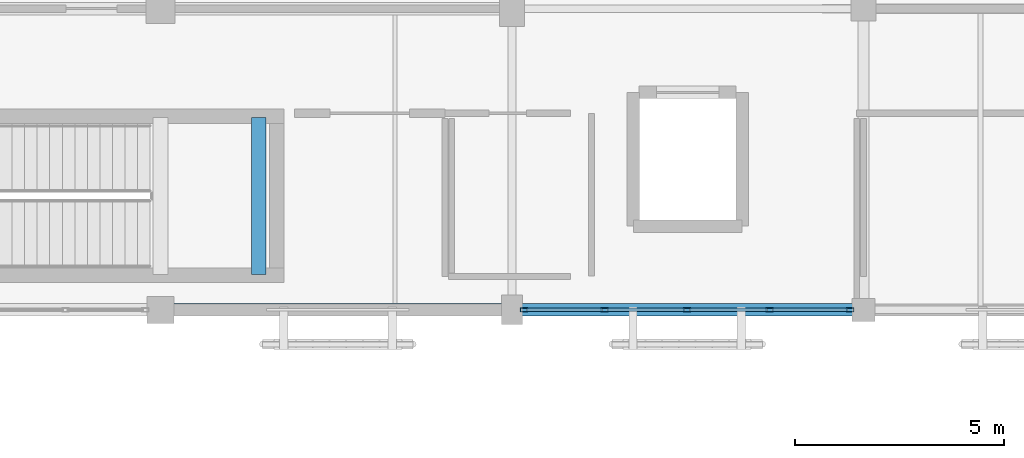
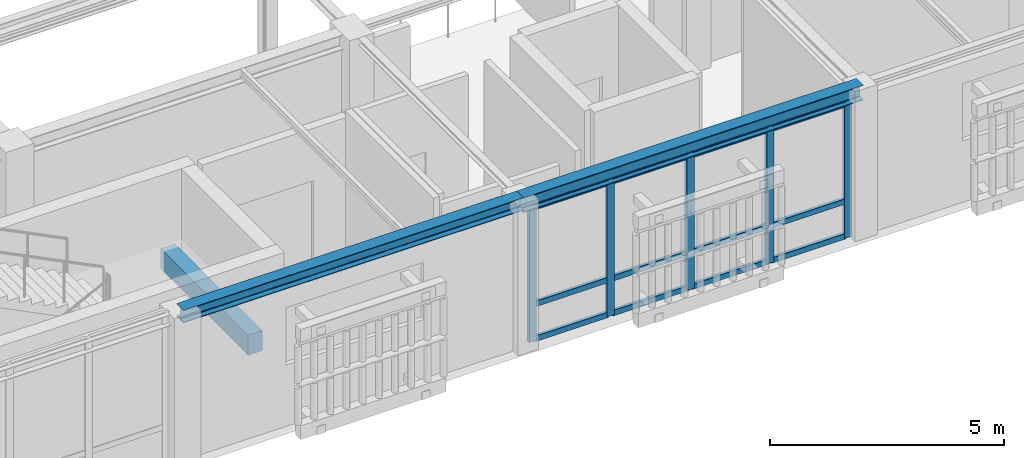
# One storey, part 73 of 170: 17 members, 3 beams, 1 element without a shape of its own.
"""IFC4 building model written with IfcOpenShell, lengths in metres."""

from ifc_helpers import new_model, si_unit, direction, frame, origin, origin_2d, place, context, subcontext, project, spatial, rectangle, hollow_rectangle, i_section, extrude, material, layer, layer_set, material_profile, profile_set, type_object, element, aggregate, save


model = new_model("IFC4")

# Units and contexts
model_context = context("Model", 3, precision=1e-05, world=origin(), true_north=direction((0.0, 1.0)))
body_context = subcontext(model_context, "Body", "Model", "MODEL_VIEW")
ifc_project = project(units=[si_unit("LENGTHUNIT", "METRE"), si_unit("AREAUNIT", "SQUARE_METRE"), si_unit("VOLUMEUNIT", "CUBIC_METRE"), si_unit("PLANEANGLEUNIT", "RADIAN"), si_unit("MASSUNIT", "GRAM", prefix="KILO")], contexts=[model_context])

# Site, building, storey
site_placement = place(None, origin())
site = spatial("IfcSite", under=ifc_project, at=site_placement, CompositionType="ELEMENT")
building_placement = place(site_placement, origin())
building = spatial("IfcBuilding", under=site, at=building_placement, Name="Mazaris Harbour Polytechnic", CompositionType="ELEMENT")
storey_placement = place(building_placement, frame((0.0, 0.0, 5.39990234375)))
storey = spatial("IfcBuildingStorey", under=building, at=storey_placement, Name="L01", CompositionType="ELEMENT", Elevation=5.39990234375)

# Curtain wall, members
ifc_material_1 = material(Name="Anodised Bronze Aluminium and Low-E Glass", Category="aluminium")
ifc_layer = layer(ifc_material_1, 0.14990234375, Name="Anodised Bronze Aluminium and Low-E Glass")
ifc_layer_set = layer_set([ifc_layer], Name="Anodised Bronze Aluminium and Low-E Glass")
curtain_wall_type = type_object("IfcCurtainWallType", Name="Workshop Clerestory Curtain Wall", PredefinedType="NOTDEFINED", material=ifc_layer_set)
curtain_wall_placement = place(storey_placement, origin())
curtain_wall = element("IfcCurtainWall", 1, at=curtain_wall_placement, inside=storey, type_object=curtain_wall_type, Name="V1 L01 Curtain Wall 14", PredefinedType="NOTDEFINED")
ifc_material_2 = material(Name="Anodised Bronze Steel S355", Category="steel")
ifc_material_profile_1 = material_profile(ifc_material_2, hollow_rectangle(XDim=0.10009765625, YDim=0.179931640625, WallThickness=0.008056640625, at=origin_2d()), Name="RHS 100x180x8.0")
ifc_profile_set_1 = profile_set([ifc_material_profile_1], Name="Anodised Bronze Steel S355")
member_type_1 = type_object("IfcMemberType", Name="Curtain Mullion RHS100x180", PredefinedType="MULLION", material=ifc_profile_set_1)
member_1_placement = place(storey_placement, frame((78.883056640625, 75.60009765625, 0.0), z_axis=(0.0, 0.0, 1.0), x_axis=(0.0, -1.0, 0.0)))
member_1 = element("IfcMember", 2, at=member_1_placement, type_object=member_type_1, Name="CW-04 mullion 1", PredefinedType="MULLION", context=body_context, shape_type="SweptSolid", body=[
    extrude(hollow_rectangle(XDim=0.10009765625, YDim=0.179931640625, WallThickness=0.008056640625, at=origin_2d()), origin(), (0.0, 0.0, 1.0), 3.52001953125),
])
member_2_placement = place(storey_placement, frame((76.960205078125, 75.60009765625, 0.0), z_axis=(0.0, 0.0, 1.0), x_axis=(0.0, -1.0, 0.0)))
member_2 = element("IfcMember", 3, at=member_2_placement, type_object=member_type_1, Name="CW-04 mullion 2", PredefinedType="MULLION", context=body_context, shape_type="SweptSolid", body=[
    extrude(hollow_rectangle(XDim=0.10009765625, YDim=0.179931640625, WallThickness=0.008056640625, at=origin_2d()), origin(), (0.0, 0.0, 1.0), 3.52001953125),
])
member_3_placement = place(storey_placement, frame((74.987548828125, 75.60009765625, 0.0), z_axis=(0.0, 0.0, 1.0), x_axis=(0.0, -1.0, 0.0)))
member_3 = element("IfcMember", 4, at=member_3_placement, type_object=member_type_1, Name="CW-04 mullion 3", PredefinedType="MULLION", context=body_context, shape_type="SweptSolid", body=[
    extrude(hollow_rectangle(XDim=0.10009765625, YDim=0.179931640625, WallThickness=0.008056640625, at=origin_2d()), origin(), (0.0, 0.0, 1.0), 3.52001953125),
])
member_4_placement = place(storey_placement, frame((73.0146484375, 75.60009765625, 0.0), z_axis=(0.0, 0.0, 1.0), x_axis=(0.0, -1.0, 0.0)))
member_4 = element("IfcMember", 5, at=member_4_placement, type_object=member_type_1, Name="CW-04 mullion 4", PredefinedType="MULLION", context=body_context, shape_type="SweptSolid", body=[
    extrude(hollow_rectangle(XDim=0.10009765625, YDim=0.179931640625, WallThickness=0.008056640625, at=origin_2d()), origin(), (0.0, 0.0, 1.0), 3.52001953125),
])
member_5_placement = place(storey_placement, frame((71.092041015625, 75.60009765625, 0.0), z_axis=(0.0, 0.0, 1.0), x_axis=(0.0, -1.0, 0.0)))
member_5 = element("IfcMember", 6, at=member_5_placement, type_object=member_type_1, Name="CW-04 mullion 5", PredefinedType="MULLION", context=body_context, shape_type="SweptSolid", body=[
    extrude(hollow_rectangle(XDim=0.10009765625, YDim=0.179931640625, WallThickness=0.008056640625, at=origin_2d()), origin(), (0.0, 0.0, 1.0), 3.52001953125),
])
ifc_material_3 = material(Name="Anodised Bronze Steel S355", Category="steel")
ifc_material_profile_2 = material_profile(ifc_material_3, hollow_rectangle(XDim=0.080078125, YDim=0.139892578125, WallThickness=0.00634765625, at=origin_2d()), Name="RHS 80x140x6.3")
ifc_profile_set_2 = profile_set([ifc_material_profile_2], Name="Anodised Bronze Steel S355")
member_type_2 = type_object("IfcMemberType", Name="Curtain Transom RHS80x140", PredefinedType="USERDEFINED", material=ifc_profile_set_2)
member_6_placement = place(storey_placement, frame((78.8330078125, 75.60009765625, 0.0400390625), z_axis=(-1.0, 0.0, 0.0), x_axis=(0.0, -1.0, 0.0)))
member_6 = element("IfcMember", 7, at=member_6_placement, type_object=member_type_2, Name="CW-04 transom 1.1", ObjectType="TRANSOM", PredefinedType="USERDEFINED", context=body_context, shape_type="SweptSolid", body=[
    extrude(hollow_rectangle(XDim=0.080078125, YDim=0.139892578125, WallThickness=0.00634765625, at=origin_2d()), origin(), (0.0, 0.0, 1.0), 1.82275390625),
])
member_7_placement = place(storey_placement, frame((78.8330078125, 75.60009765625, 0.9501953125), z_axis=(-1.0, 0.0, 0.0), x_axis=(0.0, -1.0, 0.0)))
member_7 = element("IfcMember", 8, at=member_7_placement, type_object=member_type_2, Name="CW-04 transom 1.2", ObjectType="TRANSOM", PredefinedType="USERDEFINED", context=body_context, shape_type="SweptSolid", body=[
    extrude(hollow_rectangle(XDim=0.080078125, YDim=0.139892578125, WallThickness=0.00634765625, at=origin_2d()), origin(), (0.0, 0.0, 1.0), 1.82275390625),
])
member_8_placement = place(storey_placement, frame((78.8330078125, 75.60009765625, 3.47998046875), z_axis=(-1.0, 0.0, 0.0), x_axis=(0.0, -1.0, 0.0)))
member_8 = element("IfcMember", 9, at=member_8_placement, type_object=member_type_2, Name="CW-04 transom 1.3", ObjectType="TRANSOM", PredefinedType="USERDEFINED", context=body_context, shape_type="SweptSolid", body=[
    extrude(hollow_rectangle(XDim=0.080078125, YDim=0.139892578125, WallThickness=0.00634765625, at=origin_2d()), origin(), (0.0, 0.0, 1.0), 1.82275390625),
])
member_9_placement = place(storey_placement, frame((76.91015625, 75.60009765625, 0.0400390625), z_axis=(-1.0, 0.0, 0.0), x_axis=(0.0, -1.0, 0.0)))
member_9 = element("IfcMember", 10, at=member_9_placement, type_object=member_type_2, Name="CW-04 transom 2.1", ObjectType="TRANSOM", PredefinedType="USERDEFINED", context=body_context, shape_type="SweptSolid", body=[
    extrude(hollow_rectangle(XDim=0.080078125, YDim=0.139892578125, WallThickness=0.00634765625, at=origin_2d()), origin(), (0.0, 0.0, 1.0), 1.87255859375),
])
member_10_placement = place(storey_placement, frame((76.91015625, 75.60009765625, 0.9501953125), z_axis=(-1.0, 0.0, 0.0), x_axis=(0.0, -1.0, 0.0)))
member_10 = element("IfcMember", 11, at=member_10_placement, type_object=member_type_2, Name="CW-04 transom 2.2", ObjectType="TRANSOM", PredefinedType="USERDEFINED", context=body_context, shape_type="SweptSolid", body=[
    extrude(hollow_rectangle(XDim=0.080078125, YDim=0.139892578125, WallThickness=0.00634765625, at=origin_2d()), origin(), (0.0, 0.0, 1.0), 1.87255859375),
])
member_11_placement = place(storey_placement, frame((76.91015625, 75.60009765625, 3.47998046875), z_axis=(-1.0, 0.0, 0.0), x_axis=(0.0, -1.0, 0.0)))
member_11 = element("IfcMember", 12, at=member_11_placement, type_object=member_type_2, Name="CW-04 transom 2.3", ObjectType="TRANSOM", PredefinedType="USERDEFINED", context=body_context, shape_type="SweptSolid", body=[
    extrude(hollow_rectangle(XDim=0.080078125, YDim=0.139892578125, WallThickness=0.00634765625, at=origin_2d()), origin(), (0.0, 0.0, 1.0), 1.87255859375),
])
member_12_placement = place(storey_placement, frame((74.9375, 75.60009765625, 0.0400390625), z_axis=(-1.0, 0.0, 0.0), x_axis=(0.0, -1.0, 0.0)))
member_12 = element("IfcMember", 13, at=member_12_placement, type_object=member_type_2, Name="CW-04 transom 3.1", ObjectType="TRANSOM", PredefinedType="USERDEFINED", context=body_context, shape_type="SweptSolid", body=[
    extrude(hollow_rectangle(XDim=0.080078125, YDim=0.139892578125, WallThickness=0.00634765625, at=origin_2d()), origin(), (0.0, 0.0, 1.0), 1.872802734375),
])
member_13_placement = place(storey_placement, frame((74.9375, 75.60009765625, 0.9501953125), z_axis=(-1.0, 0.0, 0.0), x_axis=(0.0, -1.0, 0.0)))
member_13 = element("IfcMember", 14, at=member_13_placement, type_object=member_type_2, Name="CW-04 transom 3.2", ObjectType="TRANSOM", PredefinedType="USERDEFINED", context=body_context, shape_type="SweptSolid", body=[
    extrude(hollow_rectangle(XDim=0.080078125, YDim=0.139892578125, WallThickness=0.00634765625, at=origin_2d()), origin(), (0.0, 0.0, 1.0), 1.872802734375),
])
member_14_placement = place(storey_placement, frame((74.9375, 75.60009765625, 3.47998046875), z_axis=(-1.0, 0.0, 0.0), x_axis=(0.0, -1.0, 0.0)))
member_14 = element("IfcMember", 15, at=member_14_placement, type_object=member_type_2, Name="CW-04 transom 3.3", ObjectType="TRANSOM", PredefinedType="USERDEFINED", context=body_context, shape_type="SweptSolid", body=[
    extrude(hollow_rectangle(XDim=0.080078125, YDim=0.139892578125, WallThickness=0.00634765625, at=origin_2d()), origin(), (0.0, 0.0, 1.0), 1.872802734375),
])
member_15_placement = place(storey_placement, frame((72.96484375, 75.60009765625, 0.0400390625), z_axis=(-1.0, 0.0, 0.0), x_axis=(0.0, -1.0, 0.0)))
member_15 = element("IfcMember", 16, at=member_15_placement, type_object=member_type_2, Name="CW-04 transom 4.1", ObjectType="TRANSOM", PredefinedType="USERDEFINED", context=body_context, shape_type="SweptSolid", body=[
    extrude(hollow_rectangle(XDim=0.080078125, YDim=0.139892578125, WallThickness=0.00634765625, at=origin_2d()), origin(), (0.0, 0.0, 1.0), 1.82275390625),
])
member_16_placement = place(storey_placement, frame((72.96484375, 75.60009765625, 0.9501953125), z_axis=(-1.0, 0.0, 0.0), x_axis=(0.0, -1.0, 0.0)))
member_16 = element("IfcMember", 17, at=member_16_placement, type_object=member_type_2, Name="CW-04 transom 4.2", ObjectType="TRANSOM", PredefinedType="USERDEFINED", context=body_context, shape_type="SweptSolid", body=[
    extrude(hollow_rectangle(XDim=0.080078125, YDim=0.139892578125, WallThickness=0.00634765625, at=origin_2d()), origin(), (0.0, 0.0, 1.0), 1.82275390625),
])
member_17_placement = place(storey_placement, frame((72.96484375, 75.60009765625, 3.47998046875), z_axis=(-1.0, 0.0, 0.0), x_axis=(0.0, -1.0, 0.0)))
member_17 = element("IfcMember", 18, at=member_17_placement, type_object=member_type_2, Name="CW-04 transom 4.3", ObjectType="TRANSOM", PredefinedType="USERDEFINED", context=body_context, shape_type="SweptSolid", body=[
    extrude(hollow_rectangle(XDim=0.080078125, YDim=0.139892578125, WallThickness=0.00634765625, at=origin_2d()), origin(), (0.0, 0.0, 1.0), 1.82275390625),
])
aggregate(curtain_wall, [member_1, member_2, member_3, member_4, member_5, member_6, member_7, member_8, member_9, member_10, member_11, member_12, member_13, member_14, member_15, member_16, member_17])

# Beams
ifc_material_4 = material(Name="Concrete C40/50", Category="concrete")
ifc_material_profile_3 = material_profile(ifc_material_4, rectangle(XDim=0.35009765625, YDim=0.52001953125, at=origin_2d()), Name="RECT350x520")
ifc_profile_set_3 = profile_set([ifc_material_profile_3], Name="Concrete C40/50")
beam_type_1 = type_object("IfcBeamType", Name="RC Landing Bearer 350x520", PredefinedType="BEAM", material=ifc_profile_set_3)
beam_1_placement = place(storey_placement, frame((64.75, 76.449951171875, 1.64013671875), z_axis=(0.0, 1.0, 0.0), x_axis=(-1.0, 0.0, 0.0)))
element("IfcBeam", 19, at=beam_1_placement, inside=storey, type_object=beam_type_1, Name="Core ST01 L01 Landing Bearer", PredefinedType="BEAM", context=body_context, shape_type="SweptSolid", body=[
    extrude(rectangle(XDim=0.35009765625, YDim=0.52001953125, at=origin_2d()), origin(), (0.0, 0.0, 1.0), 3.75),
])
ifc_material_5 = material(Name="Steel S355", Category="steel")
ifc_material_profile_4 = material_profile(ifc_material_5, i_section(OverallWidth=0.300048828125, OverallDepth=0.330078125, WebThickness=0.009521484375, FlangeThickness=0.0166015625, FilletRadius=0.027099609375, at=origin_2d()), Name="HEA 340")
ifc_profile_set_4 = profile_set([ifc_material_profile_4], Name="Steel S355")
beam_type_2 = type_object("IfcBeamType", Name="Steel Beam HEA340 Exterior", PredefinedType="BEAM", material=ifc_profile_set_4)
beam_2_placement = place(storey_placement, frame((62.39990234375, 75.60009765625, 3.755126953125), z_axis=(1.0, 0.0, 0.0), x_axis=(0.0, 1.0, 0.0)))
element("IfcBeam", 20, at=beam_2_placement, inside=storey, type_object=beam_type_2, Name="V1 L01 Girder 232", PredefinedType="BEAM", context=body_context, shape_type="SweptSolid", body=[
    extrude(i_section(OverallWidth=0.300048828125, OverallDepth=0.330078125, WebThickness=0.009521484375, FlangeThickness=0.0166015625, FilletRadius=0.027099609375, at=origin_2d()), origin(), (0.0, 0.0, 1.0), 8.400146484375),
])
ifc_material_6 = material(Name="Steel S355", Category="steel")
ifc_material_profile_5 = material_profile(ifc_material_6, i_section(OverallWidth=0.300048828125, OverallDepth=0.389892578125, WebThickness=0.010986328125, FlangeThickness=0.01904296875, FilletRadius=0.027099609375, at=origin_2d()), Name="HEA 400")
ifc_profile_set_5 = profile_set([ifc_material_profile_5], Name="Steel S355")
beam_type_3 = type_object("IfcBeamType", Name="Steel Beam HEA400 Exterior", PredefinedType="BEAM", material=ifc_profile_set_5)
beam_3_placement = place(storey_placement, frame((70.800048828125, 75.60009765625, 3.72509765625), z_axis=(1.0, 0.0, 0.0), x_axis=(0.0, 1.0, 0.0)))
element("IfcBeam", 21, at=beam_3_placement, inside=storey, type_object=beam_type_3, Name="V1 L01 Girder 233", PredefinedType="BEAM", context=body_context, shape_type="SweptSolid", body=[
    extrude(i_section(OverallWidth=0.300048828125, OverallDepth=0.389892578125, WebThickness=0.010986328125, FlangeThickness=0.01904296875, FilletRadius=0.027099609375, at=origin_2d()), origin(), (0.0, 0.0, 1.0), 8.39990234375),
])

save(model, "model.ifc")
